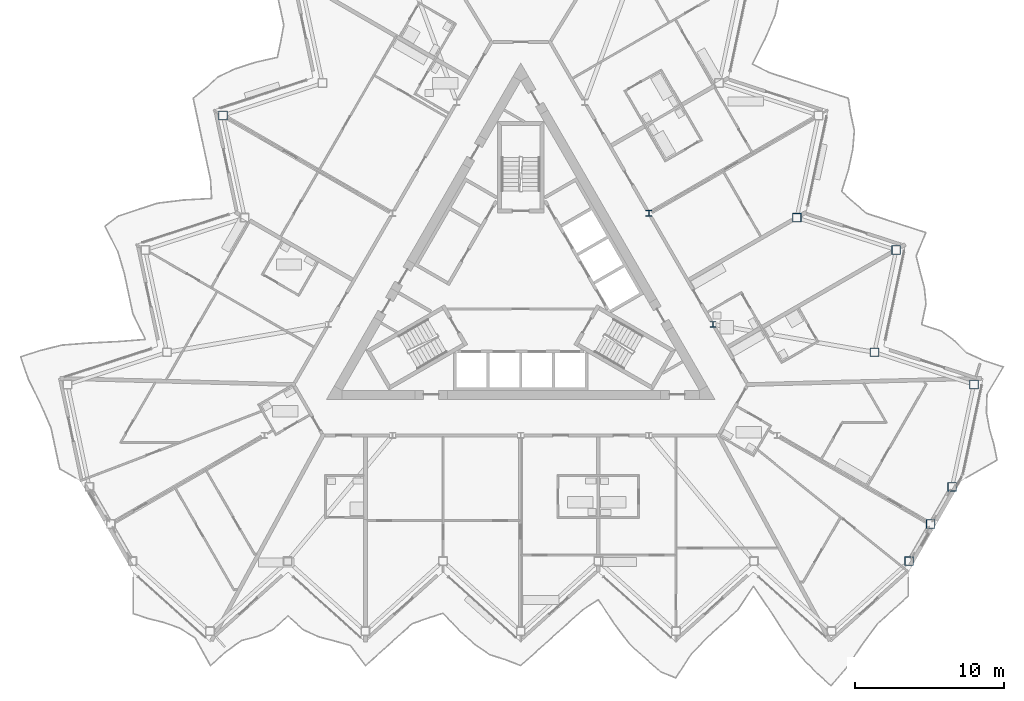
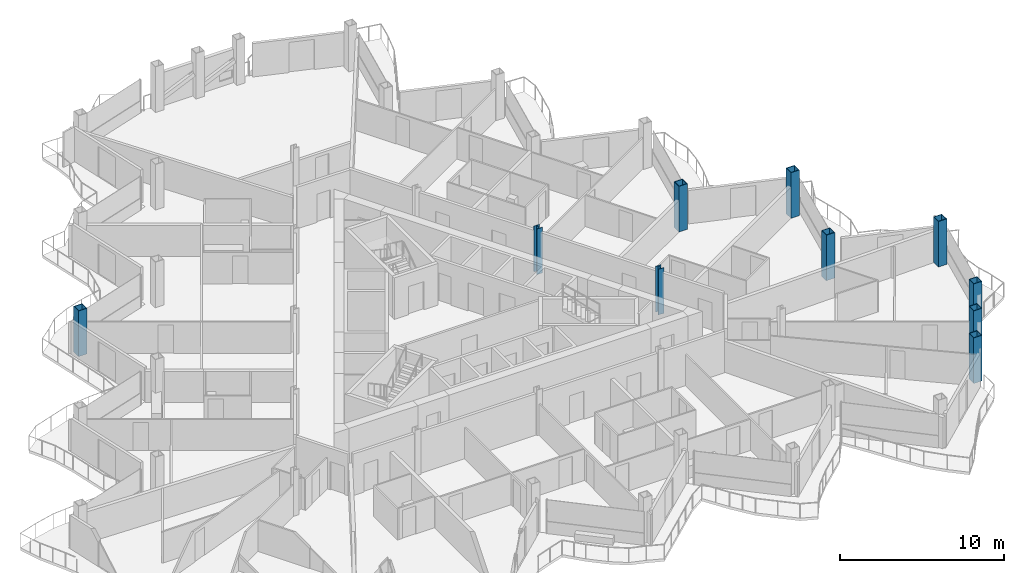
# One storey, part 2 of 28: 10 columns.
"""IFC4 building model written with IfcOpenShell, lengths in metres."""

from ifc_helpers import new_model, si_unit, direction, frame, origin, origin_2d, place, context, subcontext, project, spatial, hollow_rectangle, i_section, extrude, material, material_profile, profile_set, type_object, element, save


model = new_model("IFC4")

# Units and contexts
model_context = context("Model", 3, precision=1e-05, world=origin(), true_north=direction((0.0, 1.0)))
body_context = subcontext(model_context, "Body", "Model", "MODEL_VIEW")
ifc_project = project(units=[si_unit("LENGTHUNIT", "METRE"), si_unit("AREAUNIT", "SQUARE_METRE"), si_unit("VOLUMEUNIT", "CUBIC_METRE"), si_unit("PLANEANGLEUNIT", "RADIAN"), si_unit("MASSUNIT", "GRAM", prefix="KILO")], contexts=[model_context])

# Site, building, storey
site_placement = place(None, origin())
site = spatial("IfcSite", under=ifc_project, at=site_placement, CompositionType="ELEMENT")
building_placement = place(site_placement, origin())
building = spatial("IfcBuilding", under=site, at=building_placement, Name="Cormorant Prow Tower", CompositionType="ELEMENT")
storey_placement = place(building_placement, frame((0.0, 0.0, 305.199951171875)))
storey = spatial("IfcBuildingStorey", under=building, at=storey_placement, Name="L66", CompositionType="ELEMENT", Elevation=305.199951171875)

# Columns
ifc_material_1 = material(Name="Structural steel ASTM A572 Gr 50", Category="steel")
ifc_material_profile_1 = material_profile(ifc_material_1, hollow_rectangle(XDim=0.60009765625, YDim=0.60009765625, WallThickness=0.0400390625, at=origin_2d()), Name="Box 600x600x40")
ifc_profile_set_1 = profile_set([ifc_material_profile_1], Name="Structural steel ASTM A572 Gr 50")
column_type_1 = type_object("IfcColumnType", Name="Perimeter box column 600x600x40", PredefinedType="COLUMN", material=ifc_profile_set_1)
for number, where, z_axis, x_axis, name in (
    (1, (25.995361328125, -18.326904296875, 0.0), (0.0, 0.0, 1.0), (1.0, 0.0, 0.0), "Perimeter column C6 at ESE00 L66"),
    (2, (27.432373046875, -15.838134765625, 0.0), (0.0, 0.0, 1.0), (1.0, 0.0, 0.0), "Perimeter column C6 at ESE01 L66"),
    (3, (28.869140625, -13.349365234375, 0.0), (0.0, 0.0, 1.0), (1.0, 0.0, 0.0), "Perimeter column C6 at ENE00 L66"),
    (4, (30.32373046875, -6.506103515625, 0.0), (0.0, 0.0, 1.0), (1.0, 0.0, 0.0), "Perimeter column C6 at ENE01 L66"),
    (5, (23.670166015625, -4.34423828125, 0.0), (0.0, 0.0, 1.0), (1.0, 0.0, 0.0), "Perimeter column C6 at ENE02 L66"),
    (6, (25.124755859375, 2.4990234375, 0.0), (0.0, 0.0, 1.0), (1.0, 0.0, 0.0), "Perimeter column C6 at ENE03 L66"),
    (7, (18.470947265625, 4.660888671875, 0.0), (0.0, 0.0, 1.0), (1.0, 0.0, 0.0), "Perimeter column C6 at ENE04 L66"),
    (8, (-19.925537109375, 11.504150390625, 0.0), (0.0, 0.0, 1.0), (1.0, 0.0, 0.0), "Perimeter column C6 at WNW05 L66"),
):
    element("IfcColumn", number, at=place(storey_placement, frame(where, z_axis=z_axis, x_axis=x_axis)), inside=storey, type_object=column_type_1, Name=name, PredefinedType="COLUMN", context=body_context, shape_type="SweptSolid", body=[
        extrude(hollow_rectangle(XDim=0.60009765625, YDim=0.60009765625, WallThickness=0.0400390625, at=origin_2d()), origin(), (0.0, 0.0, 1.0), 3.400146484375),
    ])
ifc_material_2 = material(Name="Structural steel ASTM A992 Gr 50", Category="steel")
ifc_material_profile_2 = material_profile(ifc_material_2, i_section(OverallWidth=0.3955078125, OverallDepth=0.380615234375, WebThickness=0.018798828125, FlangeThickness=0.0302734375, at=origin_2d()), Name="W14x159")
ifc_profile_set_2 = profile_set([ifc_material_profile_2], Name="Structural steel ASTM A992 Gr 50")
column_type_2 = type_object("IfcColumnType", Name="Ring column W14x159", PredefinedType="COLUMN", material=ifc_profile_set_2)
for number, where, z_axis, x_axis, name in (
    (9, (12.86767578125, -2.476318359375, 0.0), (0.0, 0.0, 1.0), (1.0, 0.0, 0.0), "Ring column 10 L66"),
    (10, (8.578369140625, 4.952880859375, 0.0), (0.0, 0.0, 1.0), (1.0, 0.0, 0.0), "Ring column 11 L66"),
):
    element("IfcColumn", number, at=place(storey_placement, frame(where, z_axis=z_axis, x_axis=x_axis)), inside=storey, type_object=column_type_2, Name=name, PredefinedType="COLUMN", context=body_context, shape_type="SweptSolid", body=[
        extrude(i_section(OverallWidth=0.3955078125, OverallDepth=0.380615234375, WebThickness=0.018798828125, FlangeThickness=0.0302734375, at=origin_2d()), origin(), (0.0, 0.0, 1.0), 3.400146484375),
    ])

save(model, "model.ifc")
